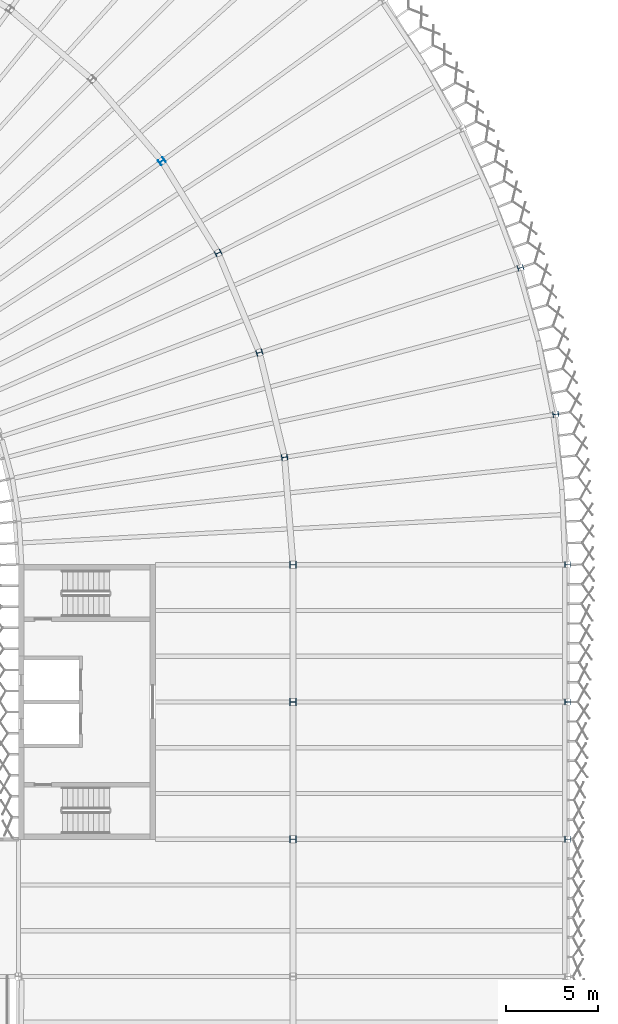
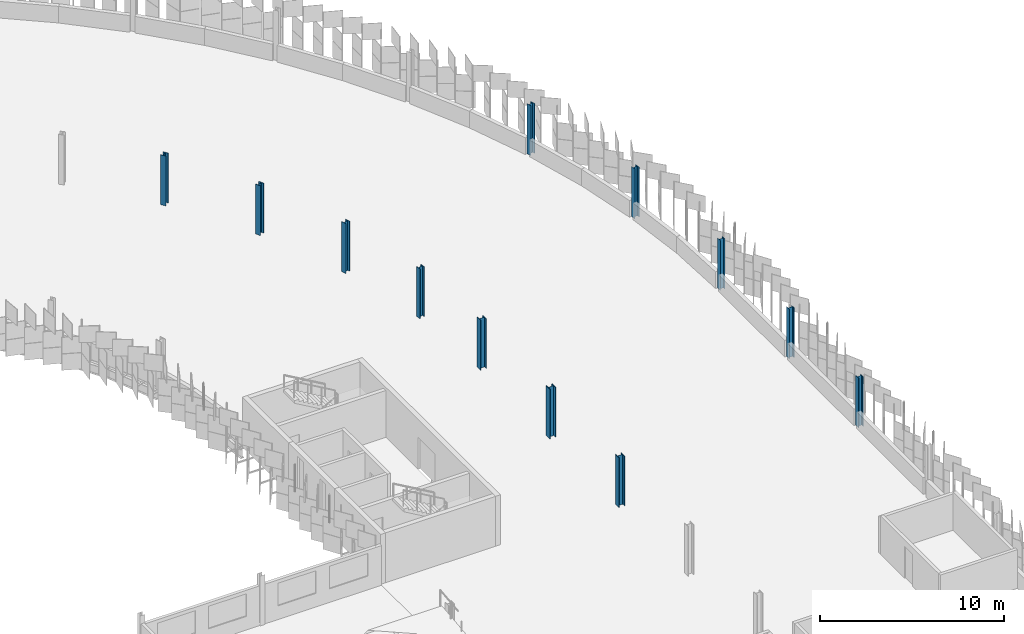
# One storey, part 22 of 198: 12 columns.
"""IFC4 building model written with IfcOpenShell, lengths in metres."""

from ifc_helpers import new_model, si_unit, direction, frame, origin, origin_2d, place, context, subcontext, project, spatial, i_section, extrude, material, material_profile, profile_set, type_object, element, save


model = new_model("IFC4")

# Units and contexts
model_context = context("Model", 3, precision=1e-05, world=origin(), true_north=direction((0.0, 1.0)))
body_context = subcontext(model_context, "Body", "Model", "MODEL_VIEW")
ifc_project = project(units=[si_unit("LENGTHUNIT", "METRE"), si_unit("AREAUNIT", "SQUARE_METRE"), si_unit("VOLUMEUNIT", "CUBIC_METRE"), si_unit("PLANEANGLEUNIT", "RADIAN"), si_unit("MASSUNIT", "GRAM", prefix="KILO")], contexts=[model_context])

# Site, building, storey
site_placement = place(None, origin())
site = spatial("IfcSite", under=ifc_project, at=site_placement, CompositionType="ELEMENT")
building_placement = place(site_placement, origin())
building = spatial("IfcBuilding", under=site, at=building_placement, Name="Parallax Yard Mobility Hub", CompositionType="ELEMENT")
storey_placement = place(building_placement, frame((0.0, 0.0, 6.60009765625)))
storey = spatial("IfcBuildingStorey", under=building, at=storey_placement, Name="L02", CompositionType="ELEMENT", Elevation=6.60009765625)

# Columns
ifc_material = material(Name="Steel ASTM A992", Category="steel")
ifc_material_profile_1 = material_profile(ifc_material, i_section(OverallWidth=0.31005859375, OverallDepth=0.327880859375, WebThickness=0.015380859375, FlangeThickness=0.025146484375, FilletRadius=0.015380859375, at=origin_2d()), Name="W310x158")
ifc_profile_set_1 = profile_set([ifc_material_profile_1], Name="Steel ASTM A992")
column_type_1 = type_object("IfcColumnType", Name="W310x158 column", PredefinedType="COLUMN", material=ifc_profile_set_1)
for number, where, z_axis, x_axis, name in (
    (1, (202.838134765625, 112.0419921875, 0.0), (0.0, 0.0, 1.0), (-0.587785252292, 0.809016994375, 0.0), "Column C6 level L02 at RB/R6 of ramped parking decks"),
    (2, (205.91259765625, 107.024658203125, 0.0), (0.0, 0.0, 1.0), (-0.45399049974, 0.891006524188, 0.0), "Column C6 level L02 at RB/R7 of ramped parking decks"),
    (3, (208.16455078125, 101.588134765625, 0.0), (0.0, 0.0, 1.0), (-0.309016994375, 0.951056516295, 0.0), "Column C6 level L02 at RB/R8 of ramped parking decks"),
    (4, (209.538330078125, 95.8662109375, 0.0), (0.0, 0.0, 1.0), (-0.15643446504, 0.987688340595, 0.0), "Column C6 level L02 at RB/R9 of ramped parking decks"),
):
    element("IfcColumn", number, at=place(storey_placement, frame(where, z_axis=z_axis, x_axis=x_axis)), inside=storey, type_object=column_type_1, Name=name, PredefinedType="COLUMN", context=body_context, shape_type="SweptSolid", body=[
        extrude(i_section(OverallWidth=0.31005859375, OverallDepth=0.327880859375, WebThickness=0.015380859375, FlangeThickness=0.025146484375, FilletRadius=0.015380859375, at=origin_2d()), origin(), (0.0, 0.0, 1.0), 3.2998046875),
    ])
ifc_material_profile_2 = material_profile(ifc_material, i_section(OverallWidth=0.304931640625, OverallDepth=0.306884765625, WebThickness=0.010009765625, FlangeThickness=0.015380859375, FilletRadius=0.01513671875, at=origin_2d()), Name="W310x97")
ifc_profile_set_2 = profile_set([ifc_material_profile_2], Name="Steel ASTM A992")
column_type_2 = type_object("IfcColumnType", Name="W310x97 column", PredefinedType="COLUMN", material=ifc_profile_set_2)
for number, where, z_axis, x_axis, name in (
    (5, (225.0, 90.0, 0.0), (0.0, 0.0, 1.0), (0.0, 1.0, 0.0), "Column C1 level L02 at N/31 of ramped parking decks"),
    (6, (225.0, 82.5, 0.0), (0.0, 0.0, 1.0), (0.0, 1.0, 0.0), "Column C1 level L02 at M/31 of ramped parking decks"),
    (7, (225.0, 75.0, 0.0), (0.0, 0.0, 1.0), (0.0, 1.0, 0.0), "Column C1 level L02 at L/31 of ramped parking decks"),
    (8, (222.430419921875, 106.223388671875, 0.0), (0.0, 0.0, 1.0), (-0.309016994375, 0.951056516295, 0.0), "Column C1 level L02 at RC/R8 of ramped parking decks"),
    (9, (224.353515625, 98.212890625, 0.0), (0.0, 0.0, 1.0), (-0.15643446504, 0.987688340595, 0.0), "Column C1 level L02 at RC/R9 of ramped parking decks"),
):
    element("IfcColumn", number, at=place(storey_placement, frame(where, z_axis=z_axis, x_axis=x_axis)), inside=storey, type_object=column_type_2, Name=name, PredefinedType="COLUMN", context=body_context, shape_type="SweptSolid", body=[
        extrude(i_section(OverallWidth=0.304931640625, OverallDepth=0.306884765625, WebThickness=0.010009765625, FlangeThickness=0.015380859375, FilletRadius=0.01513671875, at=origin_2d()), origin(), (0.0, 0.0, 1.0), 3.2998046875),
    ])
ifc_material_profile_3 = material_profile(ifc_material, i_section(OverallWidth=0.373046875, OverallDepth=0.367919921875, WebThickness=0.014892578125, FlangeThickness=0.02392578125, FilletRadius=0.01513671875, at=origin_2d()), Name="W360x179")
ifc_profile_set_3 = profile_set([ifc_material_profile_3], Name="Steel ASTM A992")
column_type_3 = type_object("IfcColumnType", Name="W360x179 column", PredefinedType="COLUMN", material=ifc_profile_set_3)
column_1_placement = place(storey_placement, frame((210.0, 90.0, 0.0), z_axis=(0.0, 0.0, 1.0), x_axis=(0.0, 1.0, 0.0)))
element("IfcColumn", 10, at=column_1_placement, inside=storey, type_object=column_type_3, Name="Column C7 level L02 at N/29 of ramped parking decks", PredefinedType="COLUMN", context=body_context, shape_type="SweptSolid", body=[
    extrude(i_section(OverallWidth=0.373046875, OverallDepth=0.367919921875, WebThickness=0.014892578125, FlangeThickness=0.02392578125, FilletRadius=0.01513671875, at=origin_2d()), origin(), (0.0, 0.0, 1.0), 3.2998046875),
])
ifc_material_profile_4 = material_profile(ifc_material, i_section(OverallWidth=0.39404296875, OverallDepth=0.3759765625, WebThickness=0.017333984375, FlangeThickness=0.027587890625, FilletRadius=0.01513671875, at=origin_2d()), Name="W360x216")
ifc_profile_set_4 = profile_set([ifc_material_profile_4], Name="Steel ASTM A992")
column_type_4 = type_object("IfcColumnType", Name="W360x216 column", PredefinedType="COLUMN", material=ifc_profile_set_4)
column_2_placement = place(storey_placement, frame((210.0, 75.0, 0.0), z_axis=(0.0, 0.0, 1.0), x_axis=(0.0, 1.0, 0.0)))
element("IfcColumn", 11, at=column_2_placement, inside=storey, type_object=column_type_4, Name="Column C9 level L02 at L/29 of ramped parking decks", PredefinedType="COLUMN", context=body_context, shape_type="SweptSolid", body=[
    extrude(i_section(OverallWidth=0.39404296875, OverallDepth=0.3759765625, WebThickness=0.017333984375, FlangeThickness=0.027587890625, FilletRadius=0.01513671875, at=origin_2d()), origin(), (0.0, 0.0, 1.0), 3.2998046875),
])
ifc_material_profile_5 = material_profile(ifc_material, i_section(OverallWidth=0.39599609375, OverallDepth=0.381103515625, WebThickness=0.018798828125, FlangeThickness=0.0302734375, FilletRadius=0.015380859375, at=origin_2d()), Name="W360x237")
ifc_profile_set_5 = profile_set([ifc_material_profile_5], Name="Steel ASTM A992")
column_type_5 = type_object("IfcColumnType", Name="W360x237 column", PredefinedType="COLUMN", material=ifc_profile_set_5)
column_3_placement = place(storey_placement, frame((210.0, 82.5, 0.0), z_axis=(0.0, 0.0, 1.0), x_axis=(0.0, 1.0, 0.0)))
element("IfcColumn", 12, at=column_3_placement, inside=storey, type_object=column_type_5, Name="Column C10 level L02 at M/29 of ramped parking decks", PredefinedType="COLUMN", context=body_context, shape_type="SweptSolid", body=[
    extrude(i_section(OverallWidth=0.39599609375, OverallDepth=0.381103515625, WebThickness=0.018798828125, FlangeThickness=0.0302734375, FilletRadius=0.015380859375, at=origin_2d()), origin(), (0.0, 0.0, 1.0), 3.2998046875),
])

save(model, "model.ifc")
